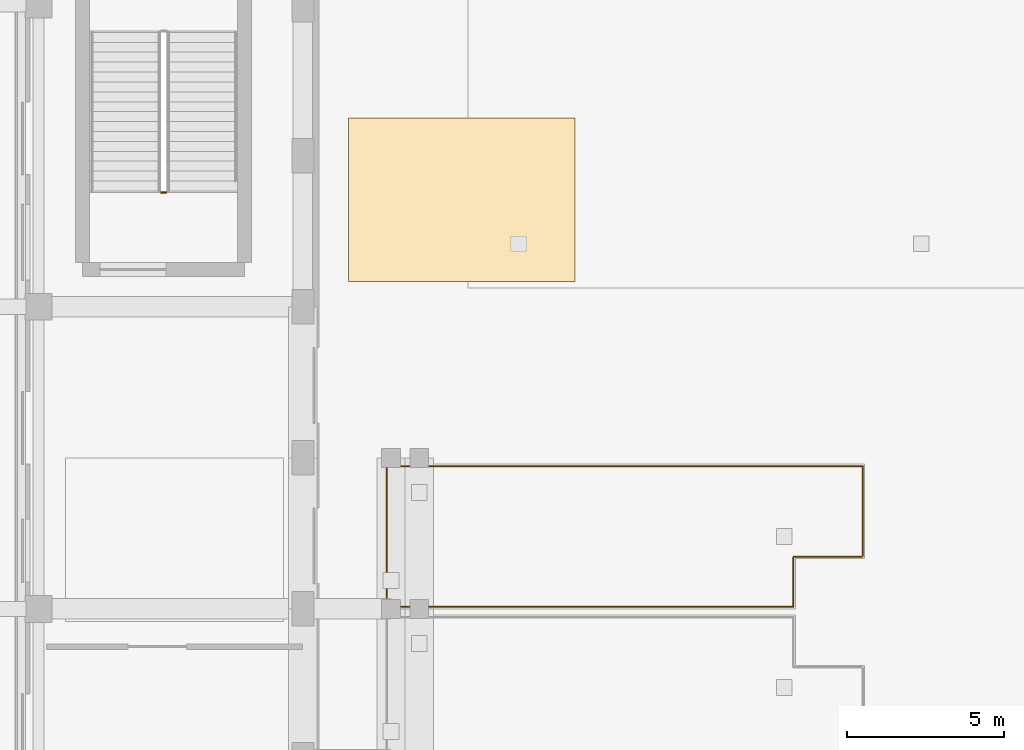
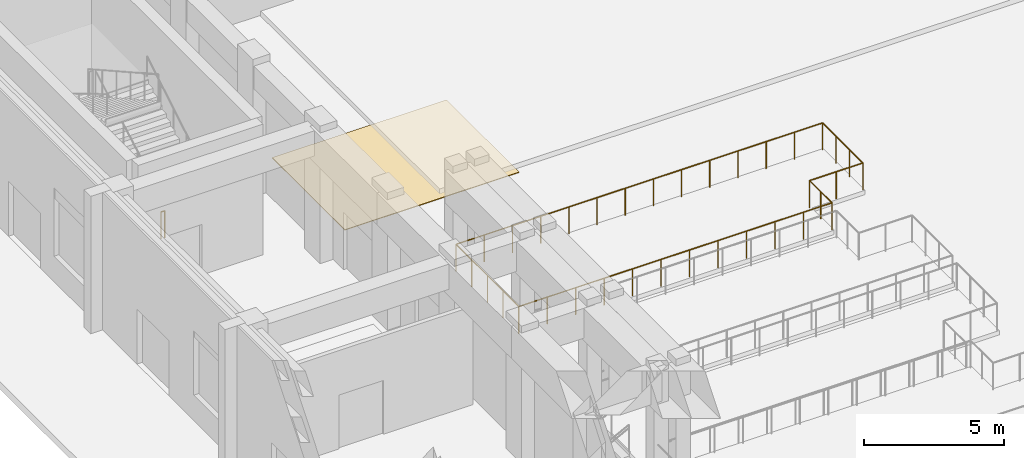
# One storey, part 68 of 87: 2 railings, 1 covering.
"""IFC4 building model written with IfcOpenShell, lengths in metres."""

from ifc_helpers import new_model, si_unit, direction, frame, origin, origin_2d, place, context, subcontext, project, spatial, polyline, circle, outline, extrude, material, layer, layer_set, type_object, element, save


model = new_model("IFC4")

# Units and contexts
model_context = context("Model", 3, precision=1e-05, world=origin(), true_north=direction((0.0, 1.0)))
body_context = subcontext(model_context, "Body", "Model", "MODEL_VIEW")
ifc_project = project(units=[si_unit("LENGTHUNIT", "METRE"), si_unit("AREAUNIT", "SQUARE_METRE"), si_unit("VOLUMEUNIT", "CUBIC_METRE"), si_unit("PLANEANGLEUNIT", "RADIAN"), si_unit("MASSUNIT", "GRAM", prefix="KILO")], contexts=[model_context])

# Site, building, storey
site_placement = place(None, origin())
site = spatial("IfcSite", under=ifc_project, at=site_placement, CompositionType="ELEMENT")
building_placement = place(site_placement, origin())
building = spatial("IfcBuilding", under=site, at=building_placement, Name="Nakhvara Creek Congress Hotel", CompositionType="ELEMENT")
storey_placement = place(building_placement, origin())
storey = spatial("IfcBuildingStorey", under=building, at=storey_placement, Name="L00", CompositionType="ELEMENT", Elevation=0.0)

# Covering
ifc_material_1 = material(Name="Honed limestone and terrazzo acoustic floor finish", Category="masonry")
ifc_layer = layer(ifc_material_1, 0.044921875)
ifc_layer_set = layer_set([ifc_layer], Name="Honed limestone and terrazzo acoustic floor finish")
covering_type = type_object("IfcCoveringType", Name="COV-FLR-TER", PredefinedType="FLOORING", material=ifc_layer_set)
covering_placement = place(storey_placement, origin())
element("IfcCovering", 1, at=covering_placement, inside=storey, type_object=covering_type, Name="Floor Finish L00-CH-02", PredefinedType="FLOORING", context=body_context, shape_type="SweptSolid", body=[
    extrude(outline(polyline([(10.60009765625, 72.800048828125), (17.800048828125, 72.800048828125), (17.800048828125, 78.0), (10.60009765625, 78.0), (10.60009765625, 72.800048828125)])), origin(), (0.0, 0.0, 1.0), 0.030029296875),
])

# Railings
ifc_material_2 = material(Name="Bronze-anodised aluminium and laminated safety glass balustrade", Category="aluminium")
railing_type_1 = type_object("IfcRailingType", Name="RL-BALUS-1200", PredefinedType="BALUSTRADE", material=ifc_material_2)
railing_1_placement = place(storey_placement, frame((11.81005859375, 62.4599609375, 1.35009765625)))
element("IfcRailing", 2, at=railing_1_placement, inside=storey, type_object=railing_type_1, Name="Stand Tier Balustrade L00-06", PredefinedType="BALUSTRADE", context=body_context, shape_type="SweptSolid", body=[
    extrude(circle(Radius=0.02392578125, at=origin_2d()), frame((0.0146484375, 0.0, 1.17578125), z_axis=(1.0, 0.0, 0.0), x_axis=(0.0, 1.0, 0.0)), (0.0, 0.0, 1.0), 12.900634765625),
    extrude(circle(Radius=0.02392578125, at=origin_2d()), frame((12.929931640625, 0.0146484375, 1.17578125), z_axis=(0.0, 1.0, 0.0), x_axis=(-1.0, 0.0, 0.0)), (0.0, 0.0, 1.0), 1.57080078125),
    extrude(circle(Radius=0.02392578125, at=origin_2d()), frame((12.944580078125, 1.60009765625, 1.17578125), z_axis=(1.0, 0.0, 0.0), x_axis=(0.0, 1.0, 0.0)), (0.0, 0.0, 1.0), 2.170654296875),
    extrude(circle(Radius=0.02392578125, at=origin_2d()), frame((15.1298828125, 1.61474609375, 1.17578125), z_axis=(0.0, 1.0, 0.0), x_axis=(-1.0, 0.0, 0.0)), (0.0, 0.0, 1.0), 2.8505859375),
    extrude(circle(Radius=0.02392578125, at=origin_2d()), frame((15.115234375, 4.47998046875, 1.17578125), z_axis=(-1.0, 0.0, 0.0), x_axis=(0.0, -1.0, 0.0)), (0.0, 0.0, 1.0), 15.1005859375),
    extrude(circle(Radius=0.02392578125, at=origin_2d()), frame((0.0, 4.46533203125, 1.17578125), z_axis=(0.0, -1.0, 0.0), x_axis=(1.0, 0.0, 0.0)), (0.0, 0.0, 1.0), 4.45068359375),
    extrude(circle(Radius=0.02099609375, at=origin_2d()), origin(), (0.0, 0.0, 1.0), 1.1806640625),
    extrude(circle(Radius=0.02099609375, at=origin_2d()), frame((1.175537109375, 0.0, 0.0)), (0.0, 0.0, 1.0), 1.1806640625),
    extrude(circle(Radius=0.02099609375, at=origin_2d()), frame((2.350830078125, 0.0, 0.0)), (0.0, 0.0, 1.0), 1.1806640625),
    extrude(circle(Radius=0.02099609375, at=origin_2d()), frame((3.5263671875, 0.0, 0.0)), (0.0, 0.0, 1.0), 1.1806640625),
    extrude(circle(Radius=0.02099609375, at=origin_2d()), frame((4.701904296875, 0.0, 0.0)), (0.0, 0.0, 1.0), 1.1806640625),
    extrude(circle(Radius=0.02099609375, at=origin_2d()), frame((5.877197265625, 0.0, 0.0)), (0.0, 0.0, 1.0), 1.1806640625),
    extrude(circle(Radius=0.02099609375, at=origin_2d()), frame((7.052734375, 0.0, 0.0)), (0.0, 0.0, 1.0), 1.1806640625),
    extrude(circle(Radius=0.02099609375, at=origin_2d()), frame((8.22802734375, 0.0, 0.0)), (0.0, 0.0, 1.0), 1.1806640625),
    extrude(circle(Radius=0.02099609375, at=origin_2d()), frame((9.403564453125, 0.0, 0.0)), (0.0, 0.0, 1.0), 1.1806640625),
    extrude(circle(Radius=0.02099609375, at=origin_2d()), frame((10.5791015625, 0.0, 0.0)), (0.0, 0.0, 1.0), 1.1806640625),
    extrude(circle(Radius=0.02099609375, at=origin_2d()), frame((11.75439453125, 0.0, 0.0)), (0.0, 0.0, 1.0), 1.1806640625),
    extrude(circle(Radius=0.02099609375, at=origin_2d()), frame((12.929931640625, 0.0, 0.0)), (0.0, 0.0, 1.0), 1.1806640625),
    extrude(circle(Radius=0.02099609375, at=origin_2d()), frame((12.929931640625, 0.800048828125, 0.0)), (0.0, 0.0, 1.0), 1.1806640625),
    extrude(circle(Radius=0.02099609375, at=origin_2d()), frame((12.929931640625, 1.60009765625, 0.0)), (0.0, 0.0, 1.0), 1.1806640625),
    extrude(circle(Radius=0.02099609375, at=origin_2d()), frame((14.02978515625, 1.60009765625, 0.0)), (0.0, 0.0, 1.0), 1.1806640625),
    extrude(circle(Radius=0.02099609375, at=origin_2d()), frame((15.1298828125, 1.60009765625, 0.0)), (0.0, 0.0, 1.0), 1.1806640625),
    extrude(circle(Radius=0.02099609375, at=origin_2d()), frame((15.1298828125, 2.56005859375, 0.0)), (0.0, 0.0, 1.0), 1.1806640625),
    extrude(circle(Radius=0.02099609375, at=origin_2d()), frame((15.1298828125, 3.52001953125, 0.0)), (0.0, 0.0, 1.0), 1.1806640625),
    extrude(circle(Radius=0.02099609375, at=origin_2d()), frame((15.1298828125, 4.47998046875, 0.0)), (0.0, 0.0, 1.0), 1.1806640625),
    extrude(circle(Radius=0.02099609375, at=origin_2d()), frame((13.966064453125, 4.47998046875, 0.0)), (0.0, 0.0, 1.0), 1.1806640625),
    extrude(circle(Radius=0.02099609375, at=origin_2d()), frame((12.80224609375, 4.47998046875, 0.0)), (0.0, 0.0, 1.0), 1.1806640625),
    extrude(circle(Radius=0.02099609375, at=origin_2d()), frame((11.638427734375, 4.47998046875, 0.0)), (0.0, 0.0, 1.0), 1.1806640625),
    extrude(circle(Radius=0.02099609375, at=origin_2d()), frame((10.474609375, 4.47998046875, 0.0)), (0.0, 0.0, 1.0), 1.1806640625),
    extrude(circle(Radius=0.02099609375, at=origin_2d()), frame((9.310791015625, 4.47998046875, 0.0)), (0.0, 0.0, 1.0), 1.1806640625),
    extrude(circle(Radius=0.02099609375, at=origin_2d()), frame((8.14697265625, 4.47998046875, 0.0)), (0.0, 0.0, 1.0), 1.1806640625),
    extrude(circle(Radius=0.02099609375, at=origin_2d()), frame((6.98291015625, 4.47998046875, 0.0)), (0.0, 0.0, 1.0), 1.1806640625),
    extrude(circle(Radius=0.02099609375, at=origin_2d()), frame((5.819091796875, 4.47998046875, 0.0)), (0.0, 0.0, 1.0), 1.1806640625),
    extrude(circle(Radius=0.02099609375, at=origin_2d()), frame((4.6552734375, 4.47998046875, 0.0)), (0.0, 0.0, 1.0), 1.1806640625),
    extrude(circle(Radius=0.02099609375, at=origin_2d()), frame((3.491455078125, 4.47998046875, 0.0)), (0.0, 0.0, 1.0), 1.1806640625),
    extrude(circle(Radius=0.02099609375, at=origin_2d()), frame((2.32763671875, 4.47998046875, 0.0)), (0.0, 0.0, 1.0), 1.1806640625),
    extrude(circle(Radius=0.02099609375, at=origin_2d()), frame((1.163818359375, 4.47998046875, 0.0)), (0.0, 0.0, 1.0), 1.1806640625),
    extrude(circle(Radius=0.02099609375, at=origin_2d()), frame((0.0, 4.47998046875, 0.0)), (0.0, 0.0, 1.0), 1.1806640625),
    extrude(circle(Radius=0.02099609375, at=origin_2d()), frame((0.0, 3.35986328125, 0.0)), (0.0, 0.0, 1.0), 1.1806640625),
    extrude(circle(Radius=0.02099609375, at=origin_2d()), frame((0.0, 2.239990234375, 0.0)), (0.0, 0.0, 1.0), 1.1806640625),
    extrude(circle(Radius=0.02099609375, at=origin_2d()), frame((0.0, 1.1201171875, 0.0)), (0.0, 0.0, 1.0), 1.1806640625),
])
ifc_material_3 = material(Name="Brushed stainless steel 316L", Category="steel")
railing_type_2 = type_object("IfcRailingType", Name="RL-GUARD-1200", PredefinedType="GUARDRAIL", material=ifc_material_3)
railing_2_placement = place(storey_placement, frame((4.800048828125, 75.6298828125, 0.0)))
element("IfcRailing", 3, at=railing_2_placement, inside=storey, type_object=railing_type_2, Name="L00 ST07 stair guard 4", PredefinedType="GUARDRAIL", context=body_context, shape_type="SweptSolid", body=[
    extrude(circle(Radius=0.02392578125, at=origin_2d()), frame((-0.0146484375, 0.0, 1.17578125), z_axis=(-1.0, 0.0, 0.0), x_axis=(0.0, -1.0, 0.0)), (0.0, 0.0, 1.0), 0.120849609375),
    extrude(circle(Radius=0.02099609375, at=origin_2d()), origin(), (0.0, 0.0, 1.0), 1.1806640625),
    extrude(circle(Radius=0.02099609375, at=origin_2d()), frame((-0.150146484375, 0.0, 0.0)), (0.0, 0.0, 1.0), 1.1806640625),
])

save(model, "model.ifc")
